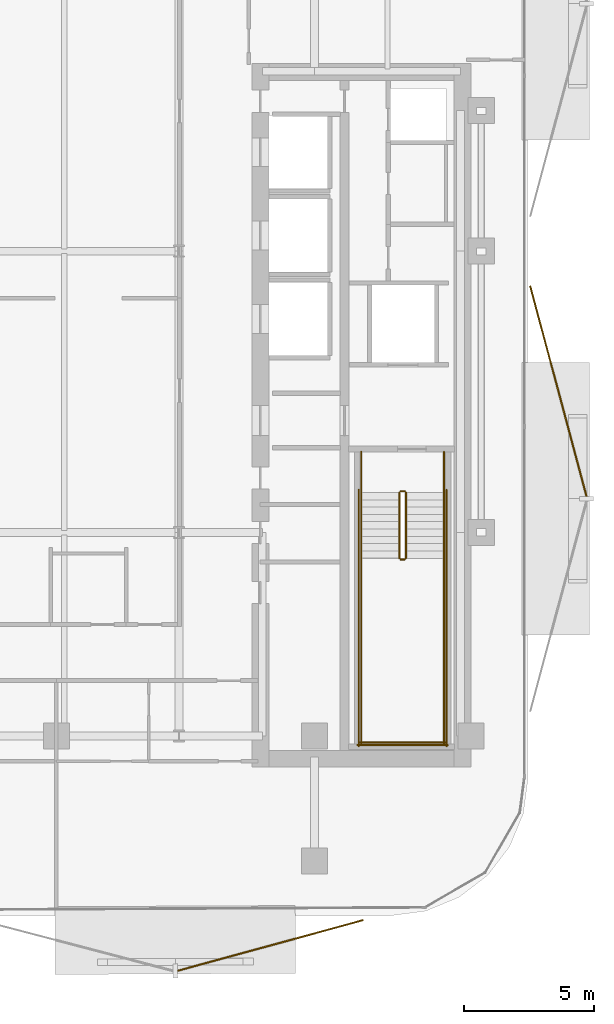
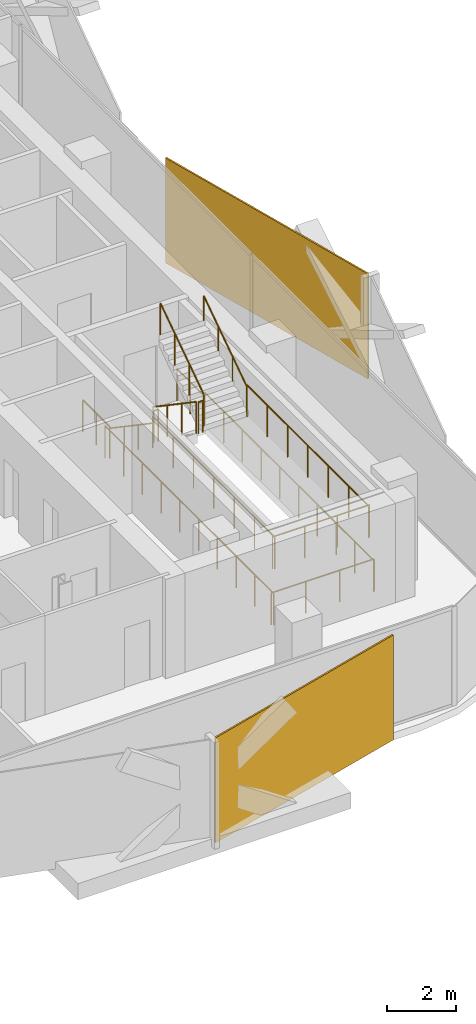
# One storey, part 15 of 17: 14 railings, 2 coverings.
"""IFC4 building model written with IfcOpenShell, lengths in metres."""

from ifc_helpers import new_model, si_unit, direction, frame, origin, origin_2d, place, context, subcontext, project, spatial, rectangle, circle, extrude, material, layer, layer_set, type_object, element, save


model = new_model("IFC4")

# Units and contexts
model_context = context("Model", 3, precision=1e-05, world=origin(), true_north=direction((0.0, 1.0)))
body_context = subcontext(model_context, "Body", "Model", "MODEL_VIEW")
ifc_project = project(units=[si_unit("LENGTHUNIT", "METRE"), si_unit("AREAUNIT", "SQUARE_METRE"), si_unit("VOLUMEUNIT", "CUBIC_METRE"), si_unit("PLANEANGLEUNIT", "RADIAN"), si_unit("MASSUNIT", "GRAM", prefix="KILO")], contexts=[model_context])

# Site, building, storey
site_placement = place(None, origin())
site = spatial("IfcSite", under=ifc_project, at=site_placement, CompositionType="ELEMENT")
building_placement = place(site_placement, origin())
building = spatial("IfcBuilding", under=site, at=building_placement, Name="Khairoan Windgate Tower", CompositionType="ELEMENT")
storey_placement = place(building_placement, frame((0.0, 0.0, 199.199951171875)))
storey = spatial("IfcBuildingStorey", under=building, at=storey_placement, Name="L46", CompositionType="ELEMENT", Elevation=199.199951171875)

# Coverings
ifc_material_1 = material(Name="Anodised Bronze Aluminium 6063-T6", Category="aluminium")
ifc_layer = layer(ifc_material_1, 0.054931640625, Name="Anodised Bronze Aluminium 6063-T6")
ifc_layer_set = layer_set([ifc_layer], Name="Anodised Bronze Aluminium 6063-T6")
covering_type = type_object("IfcCoveringType", Name="Perforated Bronze-Ceramic Folded Solar Screen Cladding BSC-1", PredefinedType="CLADDING", material=ifc_layer_set)
covering_1_placement = place(storey_placement, frame((12.712890625, -26.6376953125, -0.10009765625), z_axis=(0.0, 0.0, 1.0), x_axis=(-0.964649468762, -0.263536339841, 0.0)))
element("IfcCovering", 1, at=covering_1_placement, inside=storey, type_object=covering_type, Name="L46 Folded Bronze Solar Screen Facet 305L", PredefinedType="CLADDING", context=body_context, shape_type="SweptSolid", body=[
    extrude(rectangle(XDim=7.3759765625, YDim=0.054931640625, at=origin_2d()), origin(), (0.0, 0.0, 1.0), 3.739990234375),
])
covering_2_placement = place(storey_placement, frame((23.7587890625, -5.369873046875, -0.10009765625), z_axis=(0.0, 0.0, 1.0), x_axis=(0.258819045103, -0.965925826289, 0.0)))
element("IfcCovering", 2, at=covering_2_placement, inside=storey, type_object=covering_type, Name="L46 Folded Bronze Solar Screen Facet 312L", PredefinedType="CLADDING", context=body_context, shape_type="SweptSolid", body=[
    extrude(rectangle(XDim=8.35595703125, YDim=0.054931640625, at=origin_2d()), origin(), (0.0, 0.0, 1.0), 3.739990234375),
])

# Railings
ifc_material_2 = material(Name="Anodised Bronze Aluminium 6063-T6", Category="aluminium")
railing_type_1 = type_object("IfcRailingType", Name="Stair Wall Handrail SHR-900", PredefinedType="HANDRAIL", material=ifc_material_2)
railing_1_placement = place(storey_placement, frame((16.199951171875, -9.260009765625, 0.18994140625)))
element("IfcRailing", 3, at=railing_1_placement, inside=storey, type_object=railing_type_1, Name="L46 ST1 stair handrail 1", PredefinedType="HANDRAIL", context=body_context, shape_type="SweptSolid", body=[
    extrude(circle(Radius=0.02392578125, at=origin_2d()), frame((0.0, 0.0, 0.8759765625), z_axis=(0.0, -0.82744650838, 0.561544544778), x_axis=(1.0, 0.0, 0.0)), (0.0, 0.0, 1.0), 3.045654296875),
    extrude(circle(Radius=0.02099609375, at=origin_2d()), origin(), (0.0, 0.0, 1.0), 0.851806640625),
    extrude(circle(Radius=0.02099609375, at=origin_2d()), frame((0.0, -0.840087890625, 0.570068359375)), (0.0, 0.0, 1.0), 0.851806640625),
    extrude(circle(Radius=0.02099609375, at=origin_2d()), frame((0.0, -1.679931640625, 1.14013671875)), (0.0, 0.0, 1.0), 0.851806640625),
    extrude(circle(Radius=0.02099609375, at=origin_2d()), frame((0.0, -2.52001953125, 1.710205078125)), (0.0, 0.0, 1.0), 0.851806640625),
])
railing_2_placement = place(storey_placement, frame((19.3701171875, -11.780029296875, 2.090087890625)))
element("IfcRailing", 4, at=railing_2_placement, inside=storey, type_object=railing_type_1, Name="L46 ST1 stair handrail 2", PredefinedType="HANDRAIL", context=body_context, shape_type="SweptSolid", body=[
    extrude(circle(Radius=0.02392578125, at=origin_2d()), frame((0.0, 0.0, 0.8759765625), z_axis=(0.0, 0.827483756001, 0.561489655786), x_axis=(-1.0, 0.0, 0.0)), (0.0, 0.0, 1.0), 3.04541015625),
    extrude(circle(Radius=0.02099609375, at=origin_2d()), origin(), (0.0, 0.0, 1.0), 0.851806640625),
    extrude(circle(Radius=0.02099609375, at=origin_2d()), frame((0.0, 0.840087890625, 0.570068359375)), (0.0, 0.0, 1.0), 0.851806640625),
    extrude(circle(Radius=0.02099609375, at=origin_2d()), frame((0.0, 1.679931640625, 1.139892578125)), (0.0, 0.0, 1.0), 0.851806640625),
    extrude(circle(Radius=0.02099609375, at=origin_2d()), frame((0.0, 2.52001953125, 1.7099609375)), (0.0, 0.0, 1.0), 0.851806640625),
])
ifc_material_3 = material(Name="Steel S355", Category="steel")
railing_type_2 = type_object("IfcRailingType", Name="Stairwell Safety Guardrail SGR-1150", PredefinedType="GUARDRAIL", material=ifc_material_3)
railing_3_placement = place(storey_placement, frame((17.659912109375, -9.260009765625, 0.18994140625)))
element("IfcRailing", 5, at=railing_3_placement, inside=storey, type_object=railing_type_2, Name="L46 ST1 stair guard 1", PredefinedType="GUARDRAIL", context=body_context, shape_type="SweptSolid", body=[
    extrude(circle(Radius=0.02392578125, at=origin_2d()), frame((0.0, 0.0, 1.1259765625), z_axis=(0.0, -0.82744650838, 0.561544544778), x_axis=(1.0, 0.0, 0.0)), (0.0, 0.0, 1.0), 3.045654296875),
    extrude(circle(Radius=0.02099609375, at=origin_2d()), origin(), (0.0, 0.0, 1.0), 1.101806640625),
    extrude(circle(Radius=0.02099609375, at=origin_2d()), frame((0.0, -0.840087890625, 0.570068359375)), (0.0, 0.0, 1.0), 1.101806640625),
    extrude(circle(Radius=0.02099609375, at=origin_2d()), frame((0.0, -1.679931640625, 1.14013671875)), (0.0, 0.0, 1.0), 1.101806640625),
    extrude(circle(Radius=0.02099609375, at=origin_2d()), frame((0.0, -2.52001953125, 1.710205078125)), (0.0, 0.0, 1.0), 1.101806640625),
])
railing_4_placement = place(storey_placement, frame((17.7099609375, -11.830078125, 1.900146484375)))
element("IfcRailing", 6, at=railing_4_placement, inside=storey, type_object=railing_type_2, Name="L46 ST1 stair guard 2", PredefinedType="GUARDRAIL", context=body_context, shape_type="SweptSolid", body=[
    extrude(circle(Radius=0.02392578125, at=origin_2d()), frame((0.0, 0.0, 1.1259765625), z_axis=(1.0, 0.0, 0.0), x_axis=(0.0, 1.0, 0.0)), (0.0, 0.0, 1.0), 0.150146484375),
    extrude(circle(Radius=0.02099609375, at=origin_2d()), origin(), (0.0, 0.0, 1.0), 1.101806640625),
    extrude(circle(Radius=0.02099609375, at=origin_2d()), frame((0.150146484375, 0.0, 0.0)), (0.0, 0.0, 1.0), 1.101806640625),
])
for number, where, name in (
    (7, (16.199951171875, -11.780029296875, 1.900146484375), "L46 ST1 stair guard 3"),
    (8, (19.3701171875, -11.780029296875, 1.900146484375), "L46 ST1 stair guard 4"),
):
    element("IfcRailing", number, at=place(storey_placement, frame(where)), inside=storey, type_object=railing_type_2, Name=name, PredefinedType="GUARDRAIL", context=body_context, shape_type="SweptSolid", body=[
        extrude(circle(Radius=0.02392578125, at=origin_2d()), frame((0.0, 0.0, 1.1259765625), z_axis=(0.0, -1.0, 0.0), x_axis=(1.0, 0.0, 0.0)), (0.0, 0.0, 1.0), 7.119873046875),
        extrude(circle(Radius=0.02099609375, at=origin_2d()), origin(), (0.0, 0.0, 1.0), 1.101806640625),
        extrude(circle(Radius=0.02099609375, at=origin_2d()), frame((0.0, -1.1865234375, 0.0)), (0.0, 0.0, 1.0), 1.101806640625),
        extrude(circle(Radius=0.02099609375, at=origin_2d()), frame((0.0, -2.373291015625, 0.0)), (0.0, 0.0, 1.0), 1.101806640625),
        extrude(circle(Radius=0.02099609375, at=origin_2d()), frame((0.0, -3.56005859375, 0.0)), (0.0, 0.0, 1.0), 1.101806640625),
        extrude(circle(Radius=0.02099609375, at=origin_2d()), frame((0.0, -4.74658203125, 0.0)), (0.0, 0.0, 1.0), 1.101806640625),
        extrude(circle(Radius=0.02099609375, at=origin_2d()), frame((0.0, -5.93310546875, 0.0)), (0.0, 0.0, 1.0), 1.101806640625),
        extrude(circle(Radius=0.02099609375, at=origin_2d()), frame((0.0, -7.119873046875, 0.0)), (0.0, 0.0, 1.0), 1.101806640625),
    ])
railing_5_placement = place(storey_placement, frame((16.14990234375, -18.85009765625, 1.900146484375)))
element("IfcRailing", 9, at=railing_5_placement, inside=storey, type_object=railing_type_2, Name="L46 ST1 stair guard 5", PredefinedType="GUARDRAIL", context=body_context, shape_type="SweptSolid", body=[
    extrude(circle(Radius=0.02392578125, at=origin_2d()), frame((0.0, 0.0, 1.1259765625), z_axis=(1.0, 0.0, 0.0), x_axis=(0.0, 1.0, 0.0)), (0.0, 0.0, 1.0), 3.27001953125),
    extrude(circle(Radius=0.02099609375, at=origin_2d()), origin(), (0.0, 0.0, 1.0), 1.101806640625),
    extrude(circle(Radius=0.02099609375, at=origin_2d()), frame((1.090087890625, 0.0, 0.0)), (0.0, 0.0, 1.0), 1.101806640625),
    extrude(circle(Radius=0.02099609375, at=origin_2d()), frame((2.179931640625, 0.0, 0.0)), (0.0, 0.0, 1.0), 1.101806640625),
    extrude(circle(Radius=0.02099609375, at=origin_2d()), frame((3.27001953125, 0.0, 0.0)), (0.0, 0.0, 1.0), 1.101806640625),
])
railing_6_placement = place(storey_placement, frame((17.909912109375, -11.780029296875, 2.090087890625)))
element("IfcRailing", 10, at=railing_6_placement, inside=storey, type_object=railing_type_2, Name="L46 ST1 stair guard 6", PredefinedType="GUARDRAIL", context=body_context, shape_type="SweptSolid", body=[
    extrude(circle(Radius=0.02392578125, at=origin_2d()), frame((0.0, 0.0, 1.1259765625), z_axis=(0.0, 0.827483756001, 0.561489655786), x_axis=(-1.0, 0.0, 0.0)), (0.0, 0.0, 1.0), 3.04541015625),
    extrude(circle(Radius=0.02099609375, at=origin_2d()), origin(), (0.0, 0.0, 1.0), 1.101806640625),
    extrude(circle(Radius=0.02099609375, at=origin_2d()), frame((0.0, 0.840087890625, 0.570068359375)), (0.0, 0.0, 1.0), 1.101806640625),
    extrude(circle(Radius=0.02099609375, at=origin_2d()), frame((0.0, 1.679931640625, 1.139892578125)), (0.0, 0.0, 1.0), 1.101806640625),
    extrude(circle(Radius=0.02099609375, at=origin_2d()), frame((0.0, 2.52001953125, 1.7099609375)), (0.0, 0.0, 1.0), 1.101806640625),
])
railing_7_placement = place(storey_placement, frame((17.7099609375, -9.2099609375, 0.0)))
element("IfcRailing", 11, at=railing_7_placement, inside=storey, type_object=railing_type_2, Name="L46 ST1 stair guard 7", PredefinedType="GUARDRAIL", context=body_context, shape_type="SweptSolid", body=[
    extrude(circle(Radius=0.02392578125, at=origin_2d()), frame((0.0, 0.0, 1.1259765625), z_axis=(1.0, 0.0, 0.0), x_axis=(0.0, 1.0, 0.0)), (0.0, 0.0, 1.0), 0.150146484375),
    extrude(circle(Radius=0.02099609375, at=origin_2d()), origin(), (0.0, 0.0, 1.0), 1.101806640625),
    extrude(circle(Radius=0.02099609375, at=origin_2d()), frame((0.150146484375, 0.0, 0.0)), (0.0, 0.0, 1.0), 1.101806640625),
])
for number, where, name in (
    (12, (16.199951171875, -7.699951171875, 0.0), "L46 ST1 stair guard 8"),
    (13, (19.3701171875, -7.699951171875, 0.0), "L46 ST1 stair guard 9"),
):
    element("IfcRailing", number, at=place(storey_placement, frame(where)), inside=storey, type_object=railing_type_2, Name=name, PredefinedType="GUARDRAIL", context=body_context, shape_type="SweptSolid", body=[
        extrude(circle(Radius=0.02392578125, at=origin_2d()), frame((0.0, 0.0, 1.1259765625), z_axis=(0.0, -1.0, 0.0), x_axis=(1.0, 0.0, 0.0)), (0.0, 0.0, 1.0), 1.56005859375),
        extrude(circle(Radius=0.02099609375, at=origin_2d()), origin(), (0.0, 0.0, 1.0), 1.101806640625),
        extrude(circle(Radius=0.02099609375, at=origin_2d()), frame((0.0, -0.780029296875, 0.0)), (0.0, 0.0, 1.0), 1.101806640625),
        extrude(circle(Radius=0.02099609375, at=origin_2d()), frame((0.0, -1.56005859375, 0.0)), (0.0, 0.0, 1.0), 1.101806640625),
    ])
for number, where, name in (
    (14, (16.10009765625, -9.159912109375, 0.0), "L46 ST1 stair guard 10"),
    (15, (19.469970703125, -9.159912109375, 0.0), "L46 ST1 stair guard 11"),
):
    element("IfcRailing", number, at=place(storey_placement, frame(where)), inside=storey, type_object=railing_type_2, Name=name, PredefinedType="GUARDRAIL", context=body_context, shape_type="SweptSolid", body=[
        extrude(circle(Radius=0.02392578125, at=origin_2d()), frame((0.0, 0.0, 1.1259765625), z_axis=(0.0, -1.0, 0.0), x_axis=(1.0, 0.0, 0.0)), (0.0, 0.0, 1.0), 9.840087890625),
        extrude(circle(Radius=0.02099609375, at=origin_2d()), origin(), (0.0, 0.0, 1.0), 1.101806640625),
        extrude(circle(Radius=0.02099609375, at=origin_2d()), frame((0.0, -1.09326171875, 0.0)), (0.0, 0.0, 1.0), 1.101806640625),
        extrude(circle(Radius=0.02099609375, at=origin_2d()), frame((0.0, -2.186767578125, 0.0)), (0.0, 0.0, 1.0), 1.101806640625),
        extrude(circle(Radius=0.02099609375, at=origin_2d()), frame((0.0, -3.280029296875, 0.0)), (0.0, 0.0, 1.0), 1.101806640625),
        extrude(circle(Radius=0.02099609375, at=origin_2d()), frame((0.0, -4.373291015625, 0.0)), (0.0, 0.0, 1.0), 1.101806640625),
        extrude(circle(Radius=0.02099609375, at=origin_2d()), frame((0.0, -5.466796875, 0.0)), (0.0, 0.0, 1.0), 1.101806640625),
        extrude(circle(Radius=0.02099609375, at=origin_2d()), frame((0.0, -6.56005859375, 0.0)), (0.0, 0.0, 1.0), 1.101806640625),
        extrude(circle(Radius=0.02099609375, at=origin_2d()), frame((0.0, -7.6533203125, 0.0)), (0.0, 0.0, 1.0), 1.101806640625),
        extrude(circle(Radius=0.02099609375, at=origin_2d()), frame((0.0, -8.746826171875, 0.0)), (0.0, 0.0, 1.0), 1.101806640625),
        extrude(circle(Radius=0.02099609375, at=origin_2d()), frame((0.0, -9.840087890625, 0.0)), (0.0, 0.0, 1.0), 1.101806640625),
    ])
railing_8_placement = place(storey_placement, frame((16.050048828125, -18.949951171875, 0.0)))
element("IfcRailing", 16, at=railing_8_placement, inside=storey, type_object=railing_type_2, Name="L46 ST1 stair guard 12", PredefinedType="GUARDRAIL", context=body_context, shape_type="SweptSolid", body=[
    extrude(circle(Radius=0.02392578125, at=origin_2d()), frame((0.0, 0.0, 1.1259765625), z_axis=(1.0, 0.0, 0.0), x_axis=(0.0, 1.0, 0.0)), (0.0, 0.0, 1.0), 3.469970703125),
    extrude(circle(Radius=0.02099609375, at=origin_2d()), origin(), (0.0, 0.0, 1.0), 1.101806640625),
    extrude(circle(Radius=0.02099609375, at=origin_2d()), frame((1.15673828125, 0.0, 0.0)), (0.0, 0.0, 1.0), 1.101806640625),
    extrude(circle(Radius=0.02099609375, at=origin_2d()), frame((2.313232421875, 0.0, 0.0)), (0.0, 0.0, 1.0), 1.101806640625),
    extrude(circle(Radius=0.02099609375, at=origin_2d()), frame((3.469970703125, 0.0, 0.0)), (0.0, 0.0, 1.0), 1.101806640625),
])

save(model, "model.ifc")
